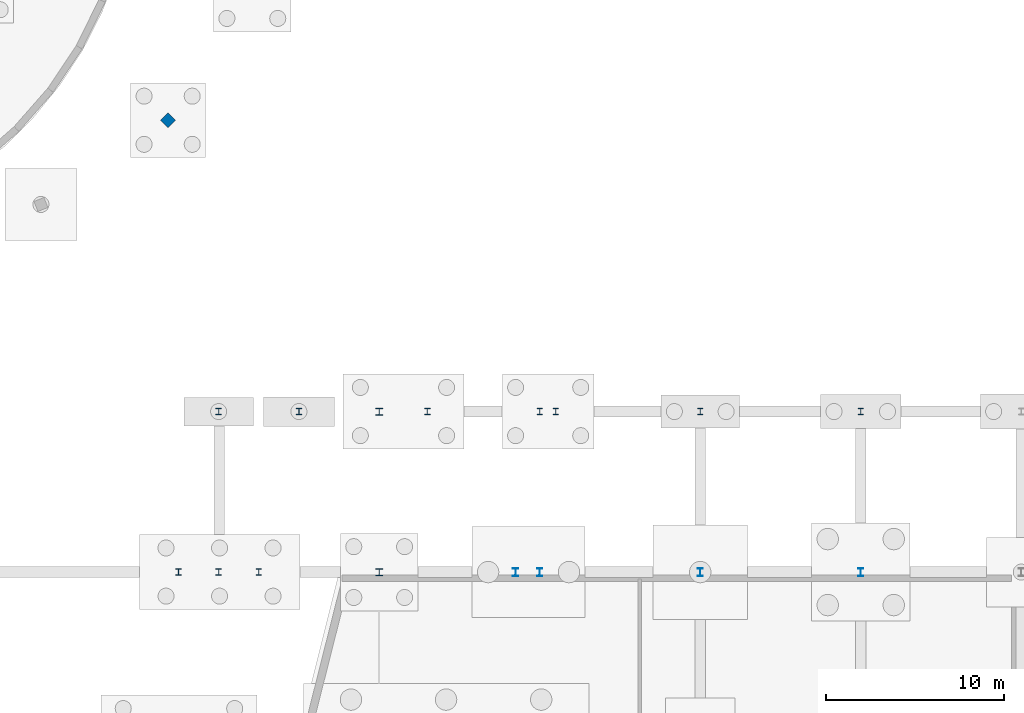
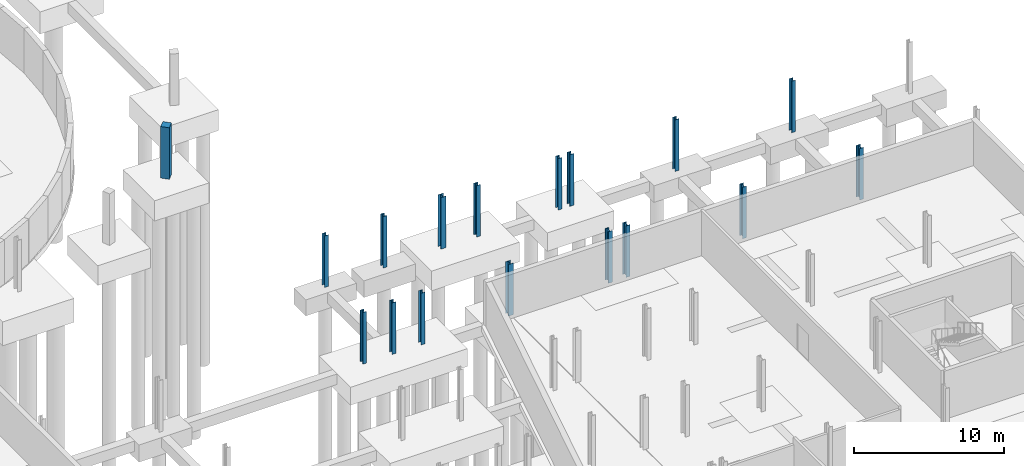
# One storey, part 28 of 42: 17 columns.
"""IFC4 building model written with IfcOpenShell, lengths in metres."""

from ifc_helpers import new_model, si_unit, direction, frame, origin, origin_2d, place, context, subcontext, project, spatial, rectangle, i_section, extrude, material, material_profile, profile_set, type_object, element, save


model = new_model("IFC4")

# Units and contexts
model_context = context("Model", 3, precision=1e-05, world=origin(), true_north=direction((0.0, 1.0)))
body_context = subcontext(model_context, "Body", "Model", "MODEL_VIEW")
ifc_project = project(units=[si_unit("LENGTHUNIT", "METRE"), si_unit("AREAUNIT", "SQUARE_METRE"), si_unit("VOLUMEUNIT", "CUBIC_METRE"), si_unit("PLANEANGLEUNIT", "RADIAN"), si_unit("MASSUNIT", "GRAM", prefix="KILO")], contexts=[model_context])

# Site, building, storey
site_placement = place(None, origin())
site = spatial("IfcSite", under=ifc_project, at=site_placement, CompositionType="ELEMENT")
building_placement = place(site_placement, origin())
building = spatial("IfcBuilding", under=site, at=building_placement, Name="Deido Ridge Mobility Hub", CompositionType="ELEMENT")
storey_placement = place(building_placement, frame((0.0, 0.0, -4.199951171875)))
storey = spatial("IfcBuildingStorey", under=building, at=storey_placement, Name="B1", CompositionType="ELEMENT", Elevation=-4.199951171875)

# Columns
ifc_material_1 = material(Name="Steel S355J2 EN 10025-2", Category="steel")
ifc_material_profile_1 = material_profile(ifc_material_1, i_section(OverallWidth=0.39892578125, OverallDepth=0.39306640625, WebThickness=0.017578125, FlangeThickness=0.028076171875, FilletRadius=0.014892578125, at=origin_2d()), Name="HD 400x287")
ifc_profile_set_1 = profile_set([ifc_material_profile_1], Name="Steel S355J2 EN 10025-2")
column_type_1 = type_object("IfcColumnType", Name="COL-HD400-287", PredefinedType="COLUMN", material=ifc_profile_set_1)
for number, where, z_axis, x_axis, name in (
    (1, (144.0, 63.0, 0.0), (0.0, 0.0, 1.0), (1.0, 0.0, 0.0), "Structural column C2"),
    (2, (144.0, 72.0, 0.0), (0.0, 0.0, 1.0), (1.0, 0.0, 0.0), "Structural column C2"),
):
    element("IfcColumn", number, at=place(storey_placement, frame(where, z_axis=z_axis, x_axis=x_axis)), inside=storey, type_object=column_type_1, Name=name, PredefinedType="COLUMN", context=body_context, shape_type="SweptSolid", body=[
        extrude(i_section(OverallWidth=0.39892578125, OverallDepth=0.39306640625, WebThickness=0.017578125, FlangeThickness=0.028076171875, FilletRadius=0.014892578125, at=origin_2d()), origin(), (0.0, 0.0, 1.0), 4.199951171875),
    ])
ifc_material_profile_2 = material_profile(ifc_material_1, i_section(OverallWidth=0.300048828125, OverallDepth=0.360107421875, WebThickness=0.012451171875, FlangeThickness=0.0224609375, FilletRadius=0.027099609375, at=origin_2d()), Name="HEB 360")
ifc_profile_set_2 = profile_set([ifc_material_profile_2], Name="Steel S355J2 EN 10025-2")
column_type_2 = type_object("IfcColumnType", Name="COL-HEB360", PredefinedType="COLUMN", material=ifc_profile_set_2)
for number, where, z_axis, x_axis, name in (
    (3, (132.75, 63.0, 0.0), (0.0, 0.0, 1.0), (1.0, 0.0, 0.0), "Structural column C8"),
    (4, (135.0, 63.0, 0.0), (0.0, 0.0, 1.0), (1.0, 0.0, 0.0), "Structural column C8"),
    (5, (137.25, 63.0, 0.0), (0.0, 0.0, 1.0), (1.0, 0.0, 0.0), "Structural column C8"),
    (6, (135.0, 72.0, 0.0), (0.0, 0.0, 1.0), (1.0, 0.0, 0.0), "Structural column C8"),
    (7, (139.5, 72.0, 0.0), (0.0, 0.0, 1.0), (1.0, 0.0, 0.0), "Structural column C8"),
    (8, (146.699951171875, 72.0, 0.0), (0.0, 0.0, 1.0), (1.0, 0.0, 0.0), "Structural column C8"),
    (9, (153.0, 72.0, 0.0), (0.0, 0.0, 1.0), (1.0, 0.0, 0.0), "Structural column C8"),
    (10, (153.89990234375, 72.0, 0.0), (0.0, 0.0, 1.0), (1.0, 0.0, 0.0), "Structural column C8"),
    (11, (162.0, 72.0, 0.0), (0.0, 0.0, 1.0), (1.0, 0.0, 0.0), "Structural column C8"),
    (12, (171.0, 72.0, 0.0), (0.0, 0.0, 1.0), (1.0, 0.0, 0.0), "Structural column C8"),
):
    element("IfcColumn", number, at=place(storey_placement, frame(where, z_axis=z_axis, x_axis=x_axis)), inside=storey, type_object=column_type_2, Name=name, PredefinedType="COLUMN", context=body_context, shape_type="SweptSolid", body=[
        extrude(i_section(OverallWidth=0.300048828125, OverallDepth=0.360107421875, WebThickness=0.012451171875, FlangeThickness=0.0224609375, FilletRadius=0.027099609375, at=origin_2d()), origin(), (0.0, 0.0, 1.0), 4.199951171875),
    ])
ifc_material_profile_3 = material_profile(ifc_material_1, i_section(OverallWidth=0.300048828125, OverallDepth=0.449951171875, WebThickness=0.013916015625, FlangeThickness=0.02587890625, FilletRadius=0.027099609375, at=origin_2d()), Name="HEB 450")
ifc_profile_set_3 = profile_set([ifc_material_profile_3], Name="Steel S355J2 EN 10025-2")
column_type_3 = type_object("IfcColumnType", Name="COL-HEB450", PredefinedType="COLUMN", material=ifc_profile_set_3)
for number, where, z_axis, x_axis, name in (
    (13, (151.64990234375, 63.0, 0.0), (0.0, 0.0, 1.0), (1.0, 0.0, 0.0), "Structural column C6"),
    (14, (153.0, 63.0, 0.0), (0.0, 0.0, 1.0), (1.0, 0.0, 0.0), "Structural column C6"),
    (15, (162.0, 63.0, 0.0), (0.0, 0.0, 1.0), (1.0, 0.0, 0.0), "Structural column C6"),
    (16, (171.0, 63.0, 0.0), (0.0, 0.0, 1.0), (1.0, 0.0, 0.0), "Structural column C6"),
):
    element("IfcColumn", number, at=place(storey_placement, frame(where, z_axis=z_axis, x_axis=x_axis)), inside=storey, type_object=column_type_3, Name=name, PredefinedType="COLUMN", context=body_context, shape_type="SweptSolid", body=[
        extrude(i_section(OverallWidth=0.300048828125, OverallDepth=0.449951171875, WebThickness=0.013916015625, FlangeThickness=0.02587890625, FilletRadius=0.027099609375, at=origin_2d()), origin(), (0.0, 0.0, 1.0), 4.199951171875),
    ])
ifc_material_2 = material(Name="Concrete C40/50", Category="concrete")
ifc_material_profile_4 = material_profile(ifc_material_2, rectangle(XDim=0.60009765625, YDim=0.60009765625, at=origin_2d()), Name="RC COL 600x600")
ifc_profile_set_4 = profile_set([ifc_material_profile_4], Name="Concrete C40/50")
column_type_4 = type_object("IfcColumnType", Name="COL-RC600", PredefinedType="COLUMN", material=ifc_profile_set_4)
column_placement = place(storey_placement, frame((132.16748046875, 88.33251953125, 0.0), z_axis=(0.0, 0.0, 1.0), x_axis=(0.707106781187, -0.707106781187, 0.0)))
element("IfcColumn", 17, at=column_placement, inside=storey, type_object=column_type_4, Name="Structural column RC2", PredefinedType="COLUMN", context=body_context, shape_type="SweptSolid", body=[
    extrude(rectangle(XDim=0.60009765625, YDim=0.60009765625, at=origin_2d()), origin(), (0.0, 0.0, 1.0), 4.199951171875),
])

save(model, "model.ifc")
